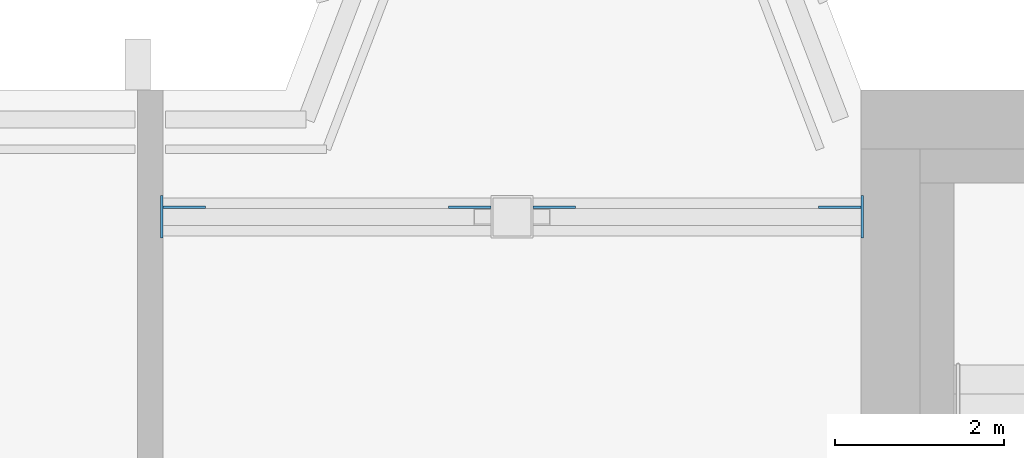
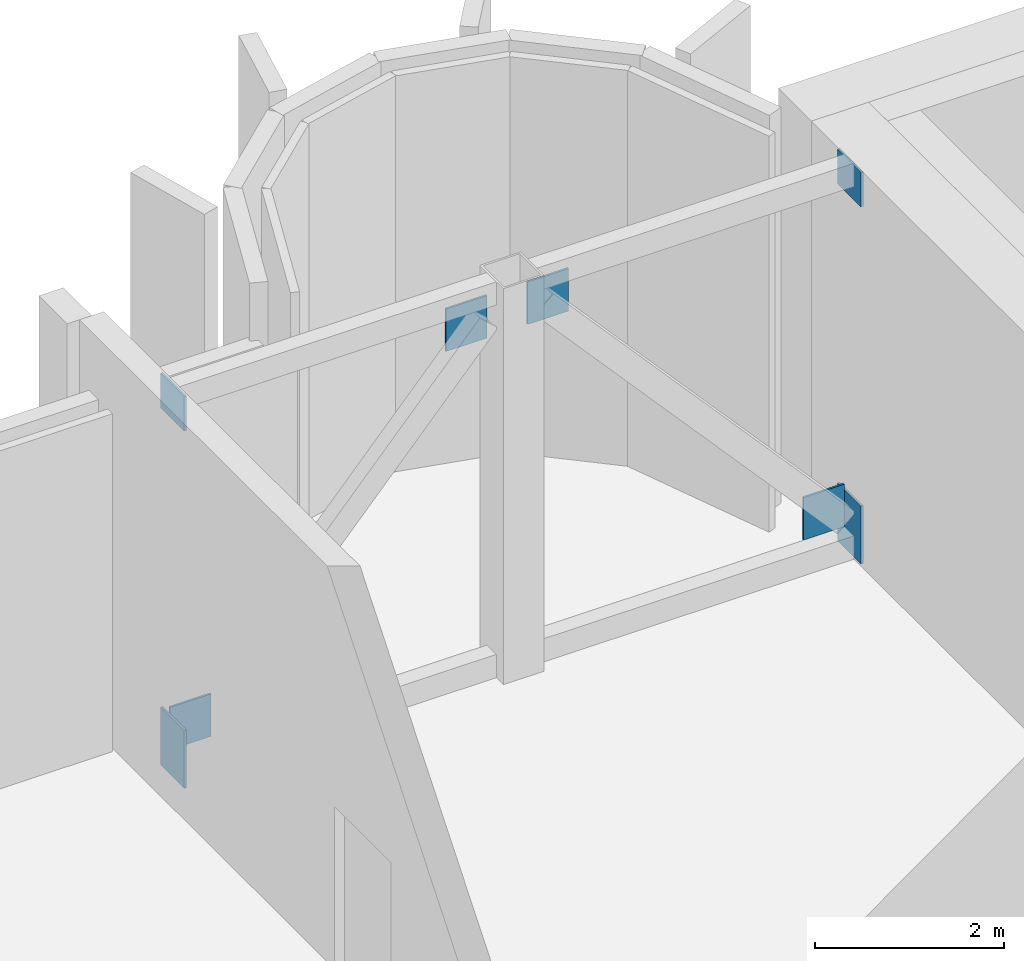
# One storey, part 10 of 15: 8 discrete accessories.
"""IFC4 building model written with IfcOpenShell, lengths in metres."""

from ifc_helpers import new_model, si_unit, direction, frame, origin, origin_2d, place, context, subcontext, project, spatial, rectangle, extrude, source, transform, mapped, material, layer, layer_set, type_object, element, save


model = new_model("IFC4")

# Units and contexts
model_context = context("Model", 3, precision=1e-05, world=origin(), true_north=direction((0.0, 1.0)))
body_context = subcontext(model_context, "Body", "Model", "MODEL_VIEW")
ifc_project = project(units=[si_unit("LENGTHUNIT", "METRE"), si_unit("AREAUNIT", "SQUARE_METRE"), si_unit("VOLUMEUNIT", "CUBIC_METRE"), si_unit("PLANEANGLEUNIT", "RADIAN"), si_unit("MASSUNIT", "GRAM", prefix="KILO")], contexts=[model_context])

# Site, building, storey
site_placement = place(None, origin())
site = spatial("IfcSite", under=ifc_project, at=site_placement, CompositionType="ELEMENT")
building_placement = place(site_placement, origin())
building = spatial("IfcBuilding", under=site, at=building_placement, Name="Vanashikhar Sky Hotel", CompositionType="ELEMENT")
storey_placement = place(building_placement, frame((0.0, 0.0, 201.0)))
storey = spatial("IfcBuildingStorey", under=building, at=storey_placement, Name="L49", CompositionType="ELEMENT", Elevation=201.0)

# Discrete accessories
ifc_material = material(Name="Steel S355", Category="steel")
ifc_layer_1 = layer(ifc_material, 0.030029296875)
ifc_layer_set_1 = layer_set([ifc_layer_1], Name="Cast-in anchor plate 500x750x30")
discrete_accessory_type_1 = type_object("IfcDiscreteAccessoryType", Name="Cast-in anchor plate 500x750x30", PredefinedType="ANCHORPLATE", material=ifc_layer_set_1)
shared_shape_1 = source(origin(), body_context, "Body", "SweptSolid", [
    extrude(rectangle(XDim=0.030029296875, YDim=0.5, at=origin_2d()), origin(), (0.0, 0.0, 1.0), 0.75),
])
for number, where, z_axis, x_axis, name in (
    (1, (16.93505859375, 40.5, 0.02490234375), (0.0, 0.0, 1.0), (1.0, 0.0, 0.0), "EP-L49-R09AB"),
    (2, (25.215087890625, 40.5, 0.02490234375), (0.0, 0.0, 1.0), (1.0, 0.0, 0.0), "EP-L49-R09BB"),
):
    element("IfcDiscreteAccessory", number, at=place(storey_placement, frame(where, z_axis=z_axis, x_axis=x_axis)), inside=storey, type_object=discrete_accessory_type_1, Name=name, PredefinedType="ANCHORPLATE", context=body_context, shape_type="MappedRepresentation", body=[
        mapped(shared_shape_1, transform((0.0, 0.0, 0.0), scale=1.0)),
    ])
ifc_layer_2 = layer(ifc_material, 0.030029296875)
ifc_layer_set_2 = layer_set([ifc_layer_2], Name="Cast-in anchor plate 500x450x30")
discrete_accessory_type_2 = type_object("IfcDiscreteAccessoryType", Name="Cast-in anchor plate 500x450x30", PredefinedType="ANCHORPLATE", material=ifc_layer_set_2)
shared_shape_2 = source(origin(), body_context, "Body", "SweptSolid", [
    extrude(rectangle(XDim=0.030029296875, YDim=0.5, at=origin_2d()), origin(), (0.0, 0.0, 1.0), 0.449951171875),
])
for number, where, z_axis, x_axis, name in (
    (3, (16.93505859375, 40.5, 4.64501953125), (0.0, 0.0, 1.0), (1.0, 0.0, 0.0), "EP-L49-R09AT"),
    (4, (25.215087890625, 40.5, 4.64501953125), (0.0, 0.0, 1.0), (1.0, 0.0, 0.0), "EP-L49-R09BT"),
):
    element("IfcDiscreteAccessory", number, at=place(storey_placement, frame(where, z_axis=z_axis, x_axis=x_axis)), inside=storey, type_object=discrete_accessory_type_2, Name=name, PredefinedType="ANCHORPLATE", context=body_context, shape_type="MappedRepresentation", body=[
        mapped(shared_shape_2, transform((0.0, 0.0, 0.0), scale=1.0)),
    ])
ifc_layer_3 = layer(ifc_material, 0.02490234375)
ifc_layer_set_3 = layer_set([ifc_layer_3], Name="Truss gusset plate 500x550x25")
discrete_accessory_type_3 = type_object("IfcDiscreteAccessoryType", Name="Truss gusset plate 500x550x25", PredefinedType="BRACKET", material=ifc_layer_set_3)
shared_shape_3 = source(origin(), body_context, "Body", "SweptSolid", [
    extrude(rectangle(XDim=0.5, YDim=0.02490234375, at=origin_2d()), origin(), (0.0, 0.0, 1.0), 0.550048828125),
])
for number, where, z_axis, x_axis, name in (
    (5, (17.199951171875, 40.612548828125, 0.2998046875), (0.0, 0.0, 1.0), (1.0, 0.0, 0.0), "GS-L49-R09LA"),
    (6, (20.574951171875, 40.612548828125, 4.27001953125), (0.0, 0.0, 1.0), (1.0, 0.0, 0.0), "GS-L49-R09LB"),
    (7, (24.949951171875, 40.612548828125, 0.2998046875), (0.0, 0.0, 1.0), (1.0, 0.0, 0.0), "GS-L49-R09RA"),
    (8, (21.574951171875, 40.612548828125, 4.27001953125), (0.0, 0.0, 1.0), (1.0, 0.0, 0.0), "GS-L49-R09RB"),
):
    element("IfcDiscreteAccessory", number, at=place(storey_placement, frame(where, z_axis=z_axis, x_axis=x_axis)), inside=storey, type_object=discrete_accessory_type_3, Name=name, PredefinedType="BRACKET", context=body_context, shape_type="MappedRepresentation", body=[
        mapped(shared_shape_3, transform((0.0, 0.0, 0.0), scale=1.0)),
    ])

save(model, "model.ifc")
